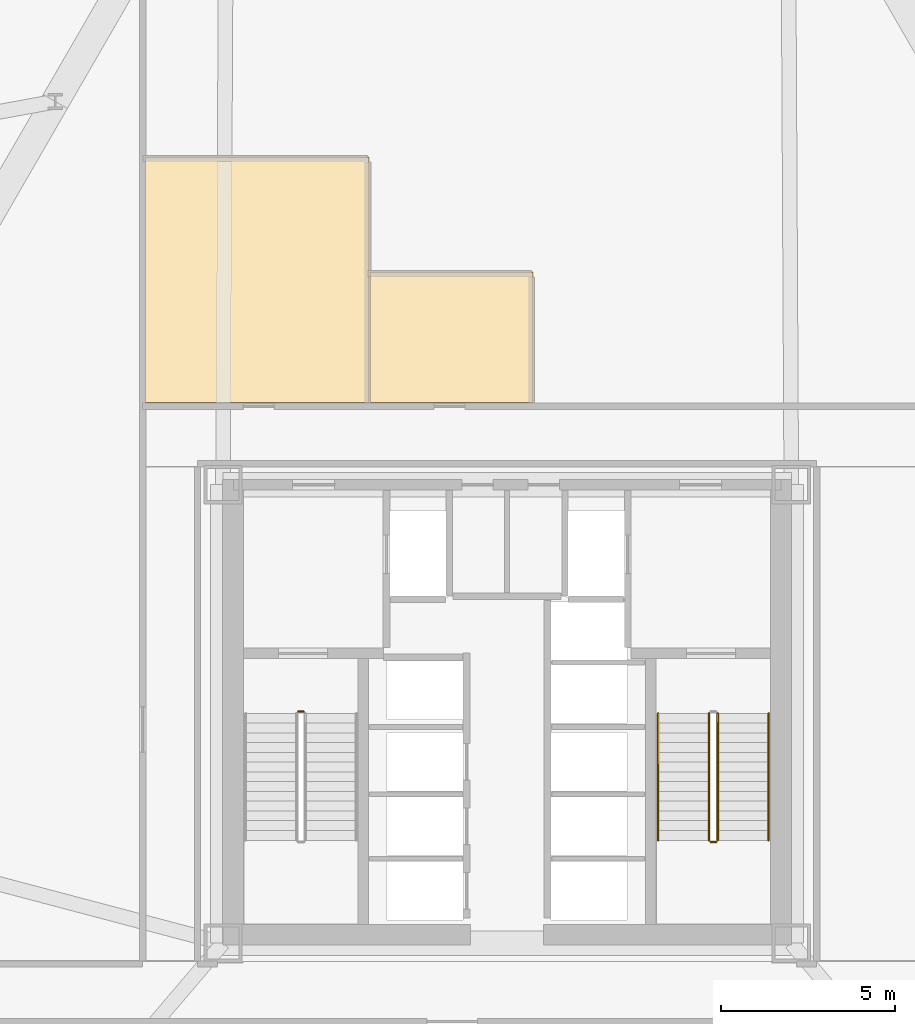
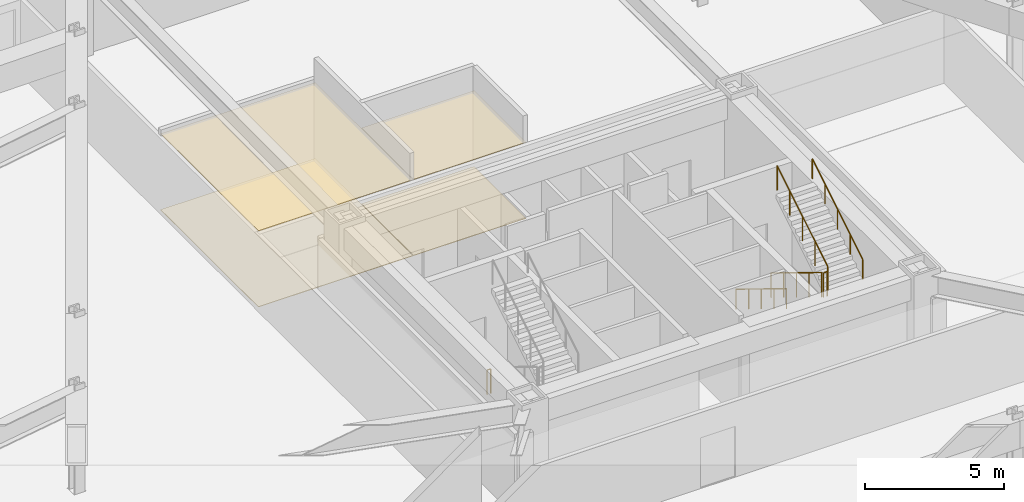
# One storey, part 8 of 10: 6 railings, 4 coverings.
"""IFC4 building model written with IfcOpenShell, lengths in metres."""

from ifc_helpers import new_model, si_unit, direction, frame, origin, origin_2d, place, context, subcontext, project, spatial, polyline, circle, outline, extrude, material, layer, layer_set, type_object, element, save


model = new_model("IFC4")

# Units and contexts
model_context = context("Model", 3, precision=1e-05, world=origin(), true_north=direction((0.0, 1.0)))
body_context = subcontext(model_context, "Body", "Model", "MODEL_VIEW")
ifc_project = project(units=[si_unit("LENGTHUNIT", "METRE"), si_unit("AREAUNIT", "SQUARE_METRE"), si_unit("VOLUMEUNIT", "CUBIC_METRE"), si_unit("PLANEANGLEUNIT", "RADIAN"), si_unit("MASSUNIT", "GRAM", prefix="KILO")], contexts=[model_context])

# Site, building, storey
site_placement = place(None, origin())
site = spatial("IfcSite", under=ifc_project, at=site_placement, CompositionType="ELEMENT")
building_placement = place(site_placement, origin())
building = spatial("IfcBuilding", under=site, at=building_placement, Name="Oramaril Tower", CompositionType="ELEMENT")
storey_placement = place(building_placement, frame((0.0, 0.0, 22.5)))
storey = spatial("IfcBuildingStorey", under=building, at=storey_placement, Name="L05", CompositionType="ELEMENT", Elevation=22.5)

# Coverings
ifc_material_1 = material(Name="Mineral Fibre Acoustic Ceiling")
ifc_layer_1 = layer(ifc_material_1, 0.02001953125)
ifc_layer_set_1 = layer_set([ifc_layer_1], Name="CVT-CEIL")
covering_type_1 = type_object("IfcCoveringType", Name="CVT-CEIL", PredefinedType="CEILING", material=ifc_layer_set_1)
covering_1_placement = place(storey_placement, frame((0.0, 0.0, 3.342041015625)))
element("IfcCovering", 1, at=covering_1_placement, inside=storey, type_object=covering_type_1, Name="L05 Acoustic Suspended Ceiling 9", PredefinedType="CEILING", context=body_context, shape_type="SweptSolid", body=[
    extrude(outline(polyline([(33.5419921875, 33.5419921875), (33.5419921875, 26.5), (27.112060546875, 26.5), (27.112060546875, 33.5419921875), (33.5419921875, 33.5419921875)])), origin(), (0.0, 0.0, 1.0), 0.02001953125),
])
covering_2_placement = place(storey_placement, frame((0.0, 0.0, 3.342041015625)))
element("IfcCovering", 2, at=covering_2_placement, inside=storey, type_object=covering_type_1, Name="L05 Acoustic Suspended Ceiling 10", PredefinedType="CEILING", context=body_context, shape_type="SweptSolid", body=[
    extrude(outline(polyline([(38.241943359375, 30.241943359375), (38.241943359375, 26.5), (33.56201171875, 26.5), (33.56201171875, 30.241943359375), (38.241943359375, 30.241943359375)])), origin(), (0.0, 0.0, 1.0), 0.02001953125),
])
ifc_material_2 = material(Name="Honed Quartzite Stone Flooring", Category="masonry")
ifc_layer_2 = layer(ifc_material_2, 0.02490234375)
ifc_layer_set_2 = layer_set([ifc_layer_2], Name="CVT-FLR")
covering_type_2 = type_object("IfcCoveringType", Name="CVT-FLR", PredefinedType="FLOORING", material=ifc_layer_set_2)
covering_3_placement = place(storey_placement, origin())
element("IfcCovering", 3, at=covering_3_placement, inside=storey, type_object=covering_type_2, Name="L05 Honed Stone Floor Finish 9", PredefinedType="FLOORING", context=body_context, shape_type="SweptSolid", body=[
    extrude(outline(polyline([(33.5419921875, 33.5419921875), (33.5419921875, 26.5), (27.112060546875, 26.5), (27.112060546875, 33.5419921875), (33.5419921875, 33.5419921875)])), origin(), (0.0, 0.0, 1.0), 0.02490234375),
])
covering_4_placement = place(storey_placement, origin())
element("IfcCovering", 4, at=covering_4_placement, inside=storey, type_object=covering_type_2, Name="L05 Honed Stone Floor Finish 10", PredefinedType="FLOORING", context=body_context, shape_type="SweptSolid", body=[
    extrude(outline(polyline([(38.241943359375, 30.241943359375), (38.241943359375, 26.5), (33.56201171875, 26.5), (33.56201171875, 30.241943359375), (38.241943359375, 30.241943359375)])), origin(), (0.0, 0.0, 1.0), 0.02490234375),
])

# Railings
ifc_material_3 = material(Name="Stainless Steel 316L", Category="steel")
railing_type_1 = type_object("IfcRailingType", Name="RLT-GRD", PredefinedType="GUARDRAIL", material=ifc_material_3)
railing_1_placement = place(storey_placement, frame((31.510009765625, 17.639892578125, 0.0)))
element("IfcRailing", 5, at=railing_1_placement, inside=storey, type_object=railing_type_1, Name="L05 ST-1 stair guard 4", PredefinedType="GUARDRAIL", context=body_context, shape_type="SweptSolid", body=[
    extrude(circle(Radius=0.02392578125, at=origin_2d()), frame((0.0, 0.0, 1.076171875), z_axis=(1.0, 0.0, 0.0), x_axis=(0.0, 1.0, 0.0)), (0.0, 0.0, 1.0), 0.14990234375),
    extrude(circle(Radius=0.02099609375, at=origin_2d()), origin(), (0.0, 0.0, 1.0), 1.052001953125),
    extrude(circle(Radius=0.02099609375, at=origin_2d()), frame((0.14990234375, 0.0, 0.0)), (0.0, 0.0, 1.0), 1.052001953125),
])
railing_2_placement = place(storey_placement, frame((43.2900390625, 17.590087890625, 0.17138671875)))
element("IfcRailing", 6, at=railing_2_placement, inside=storey, type_object=railing_type_1, Name="L05 ST-2 stair guard 1", PredefinedType="GUARDRAIL", context=body_context, shape_type="SweptSolid", body=[
    extrude(circle(Radius=0.02392578125, at=origin_2d()), frame((0.0, 0.0, 1.076171875), z_axis=(0.0, -0.852865859571, 0.52213008492), x_axis=(1.0, 0.0, 0.0)), (0.0, 0.0, 1.0), 4.26806640625),
    extrude(circle(Radius=0.02099609375, at=origin_2d()), origin(), (0.0, 0.0, 1.0), 1.052001953125),
    extrude(circle(Radius=0.02099609375, at=origin_2d()), frame((0.0, -0.91015625, 0.55712890625)), (0.0, 0.0, 1.0), 1.052001953125),
    extrude(circle(Radius=0.02099609375, at=origin_2d()), frame((0.0, -1.820068359375, 1.1142578125)), (0.0, 0.0, 1.0), 1.052001953125),
    extrude(circle(Radius=0.02099609375, at=origin_2d()), frame((0.0, -2.72998046875, 1.67138671875)), (0.0, 0.0, 1.0), 1.052001953125),
    extrude(circle(Radius=0.02099609375, at=origin_2d()), frame((0.0, -3.64013671875, 2.228515625)), (0.0, 0.0, 1.0), 1.052001953125),
])
railing_3_placement = place(storey_placement, frame((43.340087890625, 13.89990234375, 2.39990234375)))
element("IfcRailing", 7, at=railing_3_placement, inside=storey, type_object=railing_type_1, Name="L05 ST-2 stair guard 2", PredefinedType="GUARDRAIL", context=body_context, shape_type="SweptSolid", body=[
    extrude(circle(Radius=0.02392578125, at=origin_2d()), frame((0.0, 0.0, 1.076171875), z_axis=(1.0, 0.0, 0.0), x_axis=(0.0, 1.0, 0.0)), (0.0, 0.0, 1.0), 0.14990234375),
    extrude(circle(Radius=0.02099609375, at=origin_2d()), origin(), (0.0, 0.0, 1.0), 1.052001953125),
    extrude(circle(Radius=0.02099609375, at=origin_2d()), frame((0.14990234375, 0.0, 0.0)), (0.0, 0.0, 1.0), 1.052001953125),
])
railing_4_placement = place(storey_placement, frame((43.5400390625, 13.949951171875, 2.571533203125)))
element("IfcRailing", 8, at=railing_4_placement, inside=storey, type_object=railing_type_1, Name="L05 ST-2 stair guard 3", PredefinedType="GUARDRAIL", context=body_context, shape_type="SweptSolid", body=[
    extrude(circle(Radius=0.02392578125, at=origin_2d()), frame((0.0, 0.0, 1.076171875), z_axis=(0.0, 0.852865859571, 0.52213008492), x_axis=(-1.0, 0.0, 0.0)), (0.0, 0.0, 1.0), 4.26806640625),
    extrude(circle(Radius=0.02099609375, at=origin_2d()), origin(), (0.0, 0.0, 1.0), 1.052001953125),
    extrude(circle(Radius=0.02099609375, at=origin_2d()), frame((0.0, 0.91015625, 0.55712890625)), (0.0, 0.0, 1.0), 1.052001953125),
    extrude(circle(Radius=0.02099609375, at=origin_2d()), frame((0.0, 1.820068359375, 1.1142578125)), (0.0, 0.0, 1.0), 1.052001953125),
    extrude(circle(Radius=0.02099609375, at=origin_2d()), frame((0.0, 2.72998046875, 1.67138671875)), (0.0, 0.0, 1.0), 1.052001953125),
    extrude(circle(Radius=0.02099609375, at=origin_2d()), frame((0.0, 3.64013671875, 2.228515625)), (0.0, 0.0, 1.0), 1.052001953125),
])
ifc_material_4 = material(Name="Stainless Steel 316L", Category="steel")
railing_type_2 = type_object("IfcRailingType", Name="RLT-HND", PredefinedType="HANDRAIL", material=ifc_material_4)
railing_5_placement = place(storey_placement, frame((41.830078125, 17.590087890625, 0.17138671875)))
element("IfcRailing", 9, at=railing_5_placement, inside=storey, type_object=railing_type_2, Name="L05 ST-2 stair handrail 1", PredefinedType="HANDRAIL", context=body_context, shape_type="SweptSolid", body=[
    extrude(circle(Radius=0.02392578125, at=origin_2d()), frame((0.0, 0.0, 0.8759765625), z_axis=(0.0, -0.852865859571, 0.52213008492), x_axis=(1.0, 0.0, 0.0)), (0.0, 0.0, 1.0), 4.26806640625),
    extrude(circle(Radius=0.02099609375, at=origin_2d()), origin(), (0.0, 0.0, 1.0), 0.851806640625),
    extrude(circle(Radius=0.02099609375, at=origin_2d()), frame((0.0, -0.91015625, 0.55712890625)), (0.0, 0.0, 1.0), 0.851806640625),
    extrude(circle(Radius=0.02099609375, at=origin_2d()), frame((0.0, -1.820068359375, 1.1142578125)), (0.0, 0.0, 1.0), 0.851806640625),
    extrude(circle(Radius=0.02099609375, at=origin_2d()), frame((0.0, -2.72998046875, 1.67138671875)), (0.0, 0.0, 1.0), 0.851806640625),
    extrude(circle(Radius=0.02099609375, at=origin_2d()), frame((0.0, -3.64013671875, 2.228515625)), (0.0, 0.0, 1.0), 0.851806640625),
])
railing_6_placement = place(storey_placement, frame((45.0, 13.949951171875, 2.571533203125)))
element("IfcRailing", 10, at=railing_6_placement, inside=storey, type_object=railing_type_2, Name="L05 ST-2 stair handrail 2", PredefinedType="HANDRAIL", context=body_context, shape_type="SweptSolid", body=[
    extrude(circle(Radius=0.02392578125, at=origin_2d()), frame((0.0, 0.0, 0.8759765625), z_axis=(0.0, 0.852865859571, 0.52213008492), x_axis=(-1.0, 0.0, 0.0)), (0.0, 0.0, 1.0), 4.26806640625),
    extrude(circle(Radius=0.02099609375, at=origin_2d()), origin(), (0.0, 0.0, 1.0), 0.851806640625),
    extrude(circle(Radius=0.02099609375, at=origin_2d()), frame((0.0, 0.91015625, 0.55712890625)), (0.0, 0.0, 1.0), 0.851806640625),
    extrude(circle(Radius=0.02099609375, at=origin_2d()), frame((0.0, 1.820068359375, 1.1142578125)), (0.0, 0.0, 1.0), 0.851806640625),
    extrude(circle(Radius=0.02099609375, at=origin_2d()), frame((0.0, 2.72998046875, 1.67138671875)), (0.0, 0.0, 1.0), 0.851806640625),
    extrude(circle(Radius=0.02099609375, at=origin_2d()), frame((0.0, 3.64013671875, 2.228515625)), (0.0, 0.0, 1.0), 0.851806640625),
])

save(model, "model.ifc")
